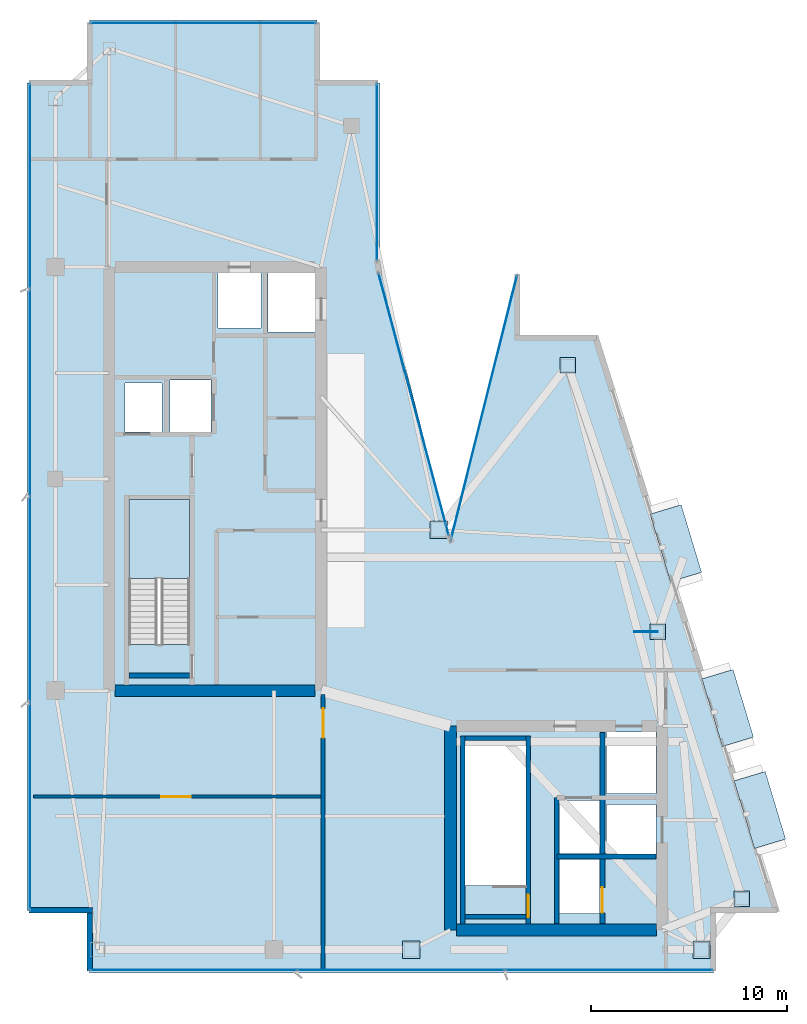
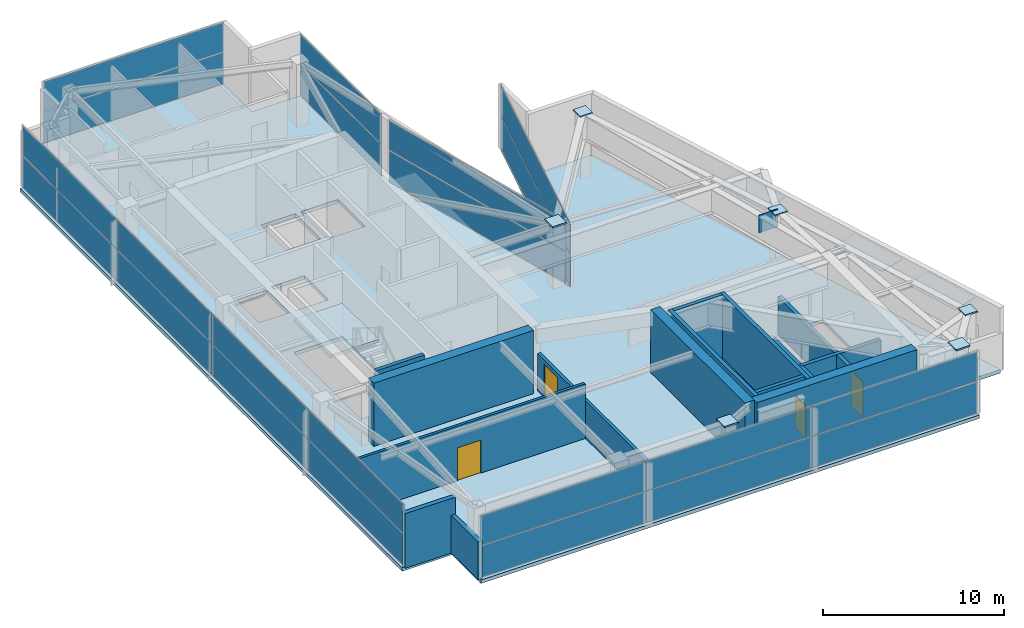
# One storey, part 20 of 25: 32 plates, 15 walls, 4 doors, 2 slabs, 4 openings, 7 elements without a shape of their own.
"""IFC4 building model written with IfcOpenShell, lengths in metres."""

from ifc_helpers import new_model, si_unit, direction, frame, frame_2d, origin, origin_2d, place, context, subcontext, project, spatial, polyline, rectangle, outline, extrude, material, layer, layer_set, type_object, element, fill, aggregate, save


model = new_model("IFC4")

# Units and contexts
model_context = context("Model", 3, precision=1e-05, world=origin(), true_north=direction((0.0, 1.0)))
body_context = subcontext(model_context, "Body", "Model", "MODEL_VIEW")
ifc_project = project(units=[si_unit("LENGTHUNIT", "METRE"), si_unit("AREAUNIT", "SQUARE_METRE"), si_unit("VOLUMEUNIT", "CUBIC_METRE"), si_unit("PLANEANGLEUNIT", "RADIAN"), si_unit("MASSUNIT", "GRAM", prefix="KILO")], contexts=[model_context])

# Site, building, storey
site_placement = place(None, origin())
site = spatial("IfcSite", under=ifc_project, at=site_placement, CompositionType="ELEMENT")
building_placement = place(site_placement, origin())
building = spatial("IfcBuilding", under=site, at=building_placement, Name="Calvorn Quay Hotel", CompositionType="ELEMENT")
storey_placement = place(building_placement, frame((0.0, 0.0, 316.0)))
storey = spatial("IfcBuildingStorey", under=building, at=storey_placement, Name="L78", CompositionType="ELEMENT", Elevation=316.0)

# Curtain wall, plates
ifc_material_1 = material(Name="Champagne Bronze Anodised Aluminium and Low-E Glass", Category="aluminium")
ifc_layer_1 = layer(ifc_material_1, 0.219970703125)
ifc_layer_set_1 = layer_set([ifc_layer_1], Name="CW-SYS-Z4")
curtain_wall_type = type_object("IfcCurtainWallType", Name="CW-SYS-Z4", PredefinedType="NOTDEFINED", material=ifc_layer_set_1)
curtain_wall_1_placement = place(storey_placement, origin())
curtain_wall_1 = element("IfcCurtainWall", 1, at=curtain_wall_1_placement, inside=storey, type_object=curtain_wall_type, Name="Tower West Curtain Wall (L78)", PredefinedType="NOTDEFINED")
ifc_material_2 = material(Name="Low-E Laminated Double Glazing", Category="glass")
ifc_layer_2 = layer(ifc_material_2, 0.028076171875)
ifc_layer_set_2 = layer_set([ifc_layer_2], Name="CW-SYS-Z4-PAN")
plate_type_1 = type_object("IfcPlateType", Name="CW-SYS-Z4-PAN", PredefinedType="CURTAIN_PANEL", material=ifc_layer_set_2)
plate_1_placement = place(storey_placement, frame((0.14990234375, 10.889892578125, 0.06005859375), z_axis=(0.0, 0.0, 1.0), x_axis=(0.0, 1.0, 0.0)))
plate_1 = element("IfcPlate", 2, at=plate_1_placement, type_object=plate_type_1, Name="CW-L78-W panel 1.1", PredefinedType="CURTAIN_PANEL", context=body_context, shape_type="SweptSolid", body=[
    extrude(rectangle(XDim=10.4599609375, YDim=0.028076171875, at=origin_2d()), origin(), (0.0, 0.0, 1.0), 2.110107421875),
])
plate_2_placement = place(storey_placement, frame((0.14990234375, 10.889892578125, 2.22998046875), z_axis=(0.0, 0.0, 1.0), x_axis=(0.0, 1.0, 0.0)))
plate_2 = element("IfcPlate", 3, at=plate_2_placement, type_object=plate_type_1, Name="CW-L78-W panel 1.2", PredefinedType="CURTAIN_PANEL", context=body_context, shape_type="SweptSolid", body=[
    extrude(rectangle(XDim=10.4599609375, YDim=0.028076171875, at=origin_2d()), origin(), (0.0, 0.0, 1.0), 1.969970703125),
])
plate_3_placement = place(storey_placement, frame((0.14990234375, 21.425048828125, 0.06005859375), z_axis=(0.0, 0.0, 1.0), x_axis=(0.0, 1.0, 0.0)))
plate_3 = element("IfcPlate", 4, at=plate_3_placement, type_object=plate_type_1, Name="CW-L78-W panel 2.1", PredefinedType="CURTAIN_PANEL", context=body_context, shape_type="SweptSolid", body=[
    extrude(rectangle(XDim=10.489990234375, YDim=0.028076171875, at=origin_2d()), origin(), (0.0, 0.0, 1.0), 2.110107421875),
])
plate_4_placement = place(storey_placement, frame((0.14990234375, 21.425048828125, 2.22998046875), z_axis=(0.0, 0.0, 1.0), x_axis=(0.0, 1.0, 0.0)))
plate_4 = element("IfcPlate", 5, at=plate_4_placement, type_object=plate_type_1, Name="CW-L78-W panel 2.2", PredefinedType="CURTAIN_PANEL", context=body_context, shape_type="SweptSolid", body=[
    extrude(rectangle(XDim=10.489990234375, YDim=0.028076171875, at=origin_2d()), origin(), (0.0, 0.0, 1.0), 1.969970703125),
])
plate_5_placement = place(storey_placement, frame((0.14990234375, 31.97509765625, 0.06005859375), z_axis=(0.0, 0.0, 1.0), x_axis=(0.0, 1.0, 0.0)))
plate_5 = element("IfcPlate", 6, at=plate_5_placement, type_object=plate_type_1, Name="CW-L78-W panel 3.1", PredefinedType="CURTAIN_PANEL", context=body_context, shape_type="SweptSolid", body=[
    extrude(rectangle(XDim=10.489990234375, YDim=0.028076171875, at=origin_2d()), origin(), (0.0, 0.0, 1.0), 2.110107421875),
])
plate_6_placement = place(storey_placement, frame((0.14990234375, 31.97509765625, 2.22998046875), z_axis=(0.0, 0.0, 1.0), x_axis=(0.0, 1.0, 0.0)))
plate_6 = element("IfcPlate", 7, at=plate_6_placement, type_object=plate_type_1, Name="CW-L78-W panel 3.2", PredefinedType="CURTAIN_PANEL", context=body_context, shape_type="SweptSolid", body=[
    extrude(rectangle(XDim=10.489990234375, YDim=0.028076171875, at=origin_2d()), origin(), (0.0, 0.0, 1.0), 1.969970703125),
])
plate_7_placement = place(storey_placement, frame((0.14990234375, 42.510009765625, 0.06005859375), z_axis=(0.0, 0.0, 1.0), x_axis=(0.0, 1.0, 0.0)))
plate_7 = element("IfcPlate", 8, at=plate_7_placement, type_object=plate_type_1, Name="CW-L78-W panel 4.1", PredefinedType="CURTAIN_PANEL", context=body_context, shape_type="SweptSolid", body=[
    extrude(rectangle(XDim=10.4599609375, YDim=0.028076171875, at=origin_2d()), origin(), (0.0, 0.0, 1.0), 2.110107421875),
])
plate_8_placement = place(storey_placement, frame((0.14990234375, 42.510009765625, 2.22998046875), z_axis=(0.0, 0.0, 1.0), x_axis=(0.0, 1.0, 0.0)))
plate_8 = element("IfcPlate", 9, at=plate_8_placement, type_object=plate_type_1, Name="CW-L78-W panel 4.2", PredefinedType="CURTAIN_PANEL", context=body_context, shape_type="SweptSolid", body=[
    extrude(rectangle(XDim=10.4599609375, YDim=0.028076171875, at=origin_2d()), origin(), (0.0, 0.0, 1.0), 1.969970703125),
])
aggregate(curtain_wall_1, [plate_1, plate_2, plate_3, plate_4, plate_5, plate_6, plate_7, plate_8])

curtain_wall_2_placement = place(storey_placement, origin())
curtain_wall_2 = element("IfcCurtainWall", 10, at=curtain_wall_2_placement, inside=storey, type_object=curtain_wall_type, Name="Tower South Waterfront Curtain Wall (L78)", PredefinedType="NOTDEFINED")
plate_9_placement = place(storey_placement, frame((8.514892578125, 2.550048828125, 0.06005859375), z_axis=(0.0, 0.0, 1.0), x_axis=(1.0, 0.0, 0.0)))
plate_9 = element("IfcPlate", 11, at=plate_9_placement, type_object=plate_type_1, Name="CW-L78-S panel 1.1", PredefinedType="CURTAIN_PANEL", context=body_context, shape_type="SweptSolid", body=[
    extrude(rectangle(XDim=10.510009765625, YDim=0.028076171875, at=origin_2d()), origin(), (0.0, 0.0, 1.0), 2.110107421875),
])
plate_10_placement = place(storey_placement, frame((8.514892578125, 2.550048828125, 2.22998046875), z_axis=(0.0, 0.0, 1.0), x_axis=(1.0, 0.0, 0.0)))
plate_10 = element("IfcPlate", 12, at=plate_10_placement, type_object=plate_type_1, Name="CW-L78-S panel 1.2", PredefinedType="CURTAIN_PANEL", context=body_context, shape_type="SweptSolid", body=[
    extrude(rectangle(XDim=10.510009765625, YDim=0.028076171875, at=origin_2d()), origin(), (0.0, 0.0, 1.0), 1.969970703125),
])
plate_11_placement = place(storey_placement, frame((19.10009765625, 2.550048828125, 0.06005859375), z_axis=(0.0, 0.0, 1.0), x_axis=(1.0, 0.0, 0.0)))
plate_11 = element("IfcPlate", 13, at=plate_11_placement, type_object=plate_type_1, Name="CW-L78-S panel 2.1", PredefinedType="CURTAIN_PANEL", context=body_context, shape_type="SweptSolid", body=[
    extrude(rectangle(XDim=10.5400390625, YDim=0.028076171875, at=origin_2d()), origin(), (0.0, 0.0, 1.0), 2.110107421875),
])
plate_12_placement = place(storey_placement, frame((19.10009765625, 2.550048828125, 2.22998046875), z_axis=(0.0, 0.0, 1.0), x_axis=(1.0, 0.0, 0.0)))
plate_12 = element("IfcPlate", 14, at=plate_12_placement, type_object=plate_type_1, Name="CW-L78-S panel 2.2", PredefinedType="CURTAIN_PANEL", context=body_context, shape_type="SweptSolid", body=[
    extrude(rectangle(XDim=10.5400390625, YDim=0.028076171875, at=origin_2d()), origin(), (0.0, 0.0, 1.0), 1.969970703125),
])
plate_13_placement = place(storey_placement, frame((29.68505859375, 2.550048828125, 0.06005859375), z_axis=(0.0, 0.0, 1.0), x_axis=(1.0, 0.0, 0.0)))
plate_13 = element("IfcPlate", 15, at=plate_13_placement, type_object=plate_type_1, Name="CW-L78-S panel 3.1", PredefinedType="CURTAIN_PANEL", context=body_context, shape_type="SweptSolid", body=[
    extrude(rectangle(XDim=10.510009765625, YDim=0.028076171875, at=origin_2d()), origin(), (0.0, 0.0, 1.0), 2.110107421875),
])
plate_14_placement = place(storey_placement, frame((29.68505859375, 2.550048828125, 2.22998046875), z_axis=(0.0, 0.0, 1.0), x_axis=(1.0, 0.0, 0.0)))
plate_14 = element("IfcPlate", 16, at=plate_14_placement, type_object=plate_type_1, Name="CW-L78-S panel 3.2", PredefinedType="CURTAIN_PANEL", context=body_context, shape_type="SweptSolid", body=[
    extrude(rectangle(XDim=10.510009765625, YDim=0.028076171875, at=origin_2d()), origin(), (0.0, 0.0, 1.0), 1.969970703125),
])
aggregate(curtain_wall_2, [plate_9, plate_10, plate_11, plate_12, plate_13, plate_14])

curtain_wall_3_placement = place(storey_placement, origin())
curtain_wall_3 = element("IfcCurtainWall", 17, at=curtain_wall_3_placement, inside=storey, type_object=curtain_wall_type, Name="Inner Court Curtain Wall L78-NE1", PredefinedType="NOTDEFINED")
plate_15_placement = place(storey_placement, frame((23.300048828125, 31.199951171875, 0.06005859375), z_axis=(0.0, 0.0, 1.0), x_axis=(-0.242535625038, -0.970142500145, 0.0)))
plate_15 = element("IfcPlate", 18, at=plate_15_placement, type_object=plate_type_1, Name="CW-L78-NE1 panel 1.1", PredefinedType="CURTAIN_PANEL", context=body_context, shape_type="SweptSolid", body=[
    extrude(rectangle(XDim=13.8984375, YDim=0.028076171875, at=origin_2d()), origin(), (0.0, 0.0, 1.0), 2.110107421875),
])
plate_16_placement = place(storey_placement, frame((23.300048828125, 31.199951171875, 2.22998046875), z_axis=(0.0, 0.0, 1.0), x_axis=(-0.242535625038, -0.970142500145, 0.0)))
plate_16 = element("IfcPlate", 19, at=plate_16_placement, type_object=plate_type_1, Name="CW-L78-NE1 panel 1.2", PredefinedType="CURTAIN_PANEL", context=body_context, shape_type="SweptSolid", body=[
    extrude(rectangle(XDim=13.8984375, YDim=0.028076171875, at=origin_2d()), origin(), (0.0, 0.0, 1.0), 1.969970703125),
])
aggregate(curtain_wall_3, [plate_15, plate_16])

curtain_wall_4_placement = place(storey_placement, origin())
curtain_wall_4 = element("IfcCurtainWall", 20, at=curtain_wall_4_placement, inside=storey, type_object=curtain_wall_type, Name="Inner Court Curtain Wall L78-IC1", PredefinedType="NOTDEFINED")
plate_17_placement = place(storey_placement, frame((19.72509765625, 31.39990234375, 0.06005859375), z_axis=(0.0, 0.0, 1.0), x_axis=(-0.25877913024, 0.96593652056, 0.0)))
plate_17 = element("IfcPlate", 21, at=plate_17_placement, type_object=plate_type_1, Name="CW-L78-IC1 panel 1.1", PredefinedType="CURTAIN_PANEL", context=body_context, shape_type="SweptSolid", body=[
    extrude(rectangle(XDim=13.814697265625, YDim=0.028076171875, at=origin_2d()), origin(), (0.0, 0.0, 1.0), 2.110107421875),
])
plate_18_placement = place(storey_placement, frame((19.72509765625, 31.39990234375, 2.22998046875), z_axis=(0.0, 0.0, 1.0), x_axis=(-0.25877913024, 0.96593652056, 0.0)))
plate_18 = element("IfcPlate", 22, at=plate_18_placement, type_object=plate_type_1, Name="CW-L78-IC1 panel 1.2", PredefinedType="CURTAIN_PANEL", context=body_context, shape_type="SweptSolid", body=[
    extrude(rectangle(XDim=13.814697265625, YDim=0.028076171875, at=origin_2d()), origin(), (0.0, 0.0, 1.0), 1.969970703125),
])
aggregate(curtain_wall_4, [plate_17, plate_18])

curtain_wall_5_placement = place(storey_placement, origin())
curtain_wall_5 = element("IfcCurtainWall", 23, at=curtain_wall_5_placement, inside=storey, type_object=curtain_wall_type, Name="Inner Court Curtain Wall L78-IC2", PredefinedType="NOTDEFINED")
plate_19_placement = place(storey_placement, frame((17.85009765625, 43.239990234375, 0.06005859375), z_axis=(0.0, 0.0, 1.0), x_axis=(0.0, 1.0, 0.0)))
plate_19 = element("IfcPlate", 24, at=plate_19_placement, type_object=plate_type_1, Name="CW-L78-IC2 panel 1.1", PredefinedType="CURTAIN_PANEL", context=body_context, shape_type="SweptSolid", body=[
    extrude(rectangle(XDim=9.0, YDim=0.028076171875, at=origin_2d()), origin(), (0.0, 0.0, 1.0), 2.110107421875),
])
plate_20_placement = place(storey_placement, frame((17.85009765625, 43.239990234375, 2.22998046875), z_axis=(0.0, 0.0, 1.0), x_axis=(0.0, 1.0, 0.0)))
plate_20 = element("IfcPlate", 25, at=plate_20_placement, type_object=plate_type_1, Name="CW-L78-IC2 panel 1.2", PredefinedType="CURTAIN_PANEL", context=body_context, shape_type="SweptSolid", body=[
    extrude(rectangle(XDim=9.0, YDim=0.028076171875, at=origin_2d()), origin(), (0.0, 0.0, 1.0), 1.969970703125),
])
aggregate(curtain_wall_5, [plate_19, plate_20])

curtain_wall_6_placement = place(storey_placement, origin())
curtain_wall_6 = element("IfcCurtainWall", 26, at=curtain_wall_6_placement, inside=storey, type_object=curtain_wall_type, Name="Inner Court Curtain Wall L78-N1", PredefinedType="NOTDEFINED")
plate_21_placement = place(storey_placement, frame((9.0, 50.85009765625, 0.06005859375), z_axis=(0.0, 0.0, 1.0), x_axis=(-1.0, 0.0, 0.0)))
plate_21 = element("IfcPlate", 27, at=plate_21_placement, type_object=plate_type_1, Name="CW-L78-N1 panel 1.1", PredefinedType="CURTAIN_PANEL", context=body_context, shape_type="SweptSolid", body=[
    extrude(rectangle(XDim=11.47998046875, YDim=0.028076171875, at=origin_2d()), origin(), (0.0, 0.0, 1.0), 2.110107421875),
])
plate_22_placement = place(storey_placement, frame((9.0, 50.85009765625, 2.22998046875), z_axis=(0.0, 0.0, 1.0), x_axis=(-1.0, 0.0, 0.0)))
plate_22 = element("IfcPlate", 28, at=plate_22_placement, type_object=plate_type_1, Name="CW-L78-N1 panel 1.2", PredefinedType="CURTAIN_PANEL", context=body_context, shape_type="SweptSolid", body=[
    extrude(rectangle(XDim=11.47998046875, YDim=0.028076171875, at=origin_2d()), origin(), (0.0, 0.0, 1.0), 1.969970703125),
])
aggregate(curtain_wall_6, [plate_21, plate_22])

# Plates
ifc_material_3 = material(Name="Steel Q420GJC", Category="steel")
ifc_layer_3 = layer(ifc_material_3, 0.050048828125)
ifc_layer_set_3 = layer_set([ifc_layer_3], Name="PLT-GUSSET-50")
plate_type_2 = type_object("IfcPlateType", Name="PLT-GUSSET-50", PredefinedType="SHEET", material=ifc_layer_set_3)
plate_23_placement = place(storey_placement, frame((31.575927734375, 19.800048828125, 3.14013671875), z_axis=(0.0, 0.0, 1.0), x_axis=(1.0, 0.0, 0.0)))
element("IfcPlate", 29, at=plate_23_placement, inside=storey, type_object=plate_type_2, Name="Transfer Gusset Plate PG-L78-E1", PredefinedType="SHEET", context=body_context, shape_type="SweptSolid", body=[
    extrude(rectangle(XDim=1.199951171875, YDim=0.050048828125, at=origin_2d()), origin(), (0.0, 0.0, 1.0), 1.199951171875),
])
ifc_material_4 = material(Name="Tempered Laminated Low-E Glass", Category="glass")
ifc_layer_4 = layer(ifc_material_4, 0.0380859375)
ifc_layer_set_4 = layer_set([ifc_layer_4], Name="PLT-HOOD-GLAZ")
plate_type_3 = type_object("IfcPlateType", Name="PLT-HOOD-GLAZ", PredefinedType="SHEET", material=ifc_layer_set_4)
for number, where, z_axis, x_axis, name in (
    (30, (37.3740234375, 10.718017578125, 2.467041015625), (0.0, 0.0, 1.0), (0.957319497532, 0.289031796944, 0.0), "Angled Glass Bay Hood Panel L78-HOOD-1"),
    (31, (35.735107421875, 15.91796875, 2.467041015625), (0.0, 0.0, 1.0), (0.957319497532, 0.289031796944, 0.0), "Angled Glass Bay Hood Panel L78-HOOD-2"),
    (32, (33.089111328125, 24.318115234375, 2.467041015625), (0.0, 0.0, 1.0), (0.957319497532, 0.289031796944, 0.0), "Angled Glass Bay Hood Panel L78-HOOD-3"),
):
    element("IfcPlate", number, at=place(storey_placement, frame(where, z_axis=z_axis, x_axis=x_axis)), inside=storey, type_object=plate_type_3, Name=name, PredefinedType="SHEET", context=body_context, shape_type="SweptSolid", body=[
        extrude(rectangle(XDim=1.659912109375, YDim=3.60009765625, at=origin_2d()), origin(), (0.0, 0.0, 1.0), 0.0380859375),
    ])
ifc_material_5 = material(Name="Steel Q390GJC", Category="steel")
ifc_layer_5 = layer(ifc_material_5, 0.031982421875)
ifc_layer_set_5 = layer_set([ifc_layer_5], Name="PLT-SPLICE-32")
plate_type_4 = type_object("IfcPlateType", Name="PLT-SPLICE-32", PredefinedType="USERDEFINED", material=ifc_layer_set_5)
for number, where, z_axis, x_axis, name in (
    (33, (21.0, 25.0, 4.199951171875), (0.0, 0.0, 1.0), (1.0, 0.0, 0.0), "Column Top Cap Plate C-IC2 (L78)"),
    (34, (19.60009765625, 3.60009765625, 4.199951171875), (0.0, 0.0, 1.0), (1.0, 0.0, 0.0), "Column Top Cap Plate C-S2 (L78)"),
    (35, (34.39990234375, 3.60009765625, 4.199951171875), (0.0, 0.0, 1.0), (1.0, 0.0, 0.0), "Column Top Cap Plate C-S3 (L78)"),
):
    element("IfcPlate", number, at=place(storey_placement, frame(where, z_axis=z_axis, x_axis=x_axis)), inside=storey, type_object=plate_type_4, Name=name, ObjectType="SPLICE_PLATE", PredefinedType="USERDEFINED", context=body_context, shape_type="SweptSolid", body=[
        extrude(rectangle(XDim=0.889892578125, YDim=0.889892578125, at=origin_2d()), origin(), (0.0, 0.0, 1.0), 0.10009765625),
    ])
for number, where, z_axis, x_axis, name in (
    (36, (36.4609375, 6.199951171875, 4.199951171875), (0.0, 0.0, 1.0), (1.0, 0.0, 0.0), "Column Top Cap Plate C-ET1 (L78)"),
    (37, (32.176025390625, 19.800048828125, 4.199951171875), (0.0, 0.0, 1.0), (1.0, 0.0, 0.0), "Column Top Cap Plate C-ET2 (L78)"),
    (38, (27.591064453125, 33.39990234375, 4.199951171875), (0.0, 0.0, 1.0), (1.0, 0.0, 0.0), "Column Top Cap Plate C-ET3 (L78)"),
):
    element("IfcPlate", number, at=place(storey_placement, frame(where, z_axis=z_axis, x_axis=x_axis)), inside=storey, type_object=plate_type_4, Name=name, ObjectType="SPLICE_PLATE", PredefinedType="USERDEFINED", context=body_context, shape_type="SweptSolid", body=[
        extrude(rectangle(XDim=0.7900390625, YDim=0.7900390625, at=origin_2d()), origin(), (0.0, 0.0, 1.0), 0.10009765625),
    ])

# Stair, slab
ifc_material_6 = material(Name="Concrete C40", Category="concrete")
stair_type = type_object("IfcStairType", Name="STR-CORE-DOGLEG", PredefinedType="HALF_TURN_STAIR", material=ifc_material_6)
stair_placement = place(storey_placement, origin())
stair = element("IfcStair", 39, at=stair_placement, inside=storey, type_object=stair_type, Name="L78 ST-W", PredefinedType="HALF_TURN_STAIR")
ifc_material_7 = material(Name="Concrete C40", Category="concrete")
ifc_layer_6 = layer(ifc_material_7, 0.199951171875)
ifc_layer_set_6 = layer_set([ifc_layer_6], Name="SLB-STAIR-LANDING-200")
slab_type_1 = type_object("IfcSlabType", Name="SLB-STAIR-LANDING-200", PredefinedType="LANDING", material=ifc_layer_set_6)
slab_1_placement = place(storey_placement, frame((0.0, 0.0, 2.050048828125)))
slab_1 = element("IfcSlab", 40, at=slab_1_placement, type_object=slab_type_1, Name="ST-W landing 1", PredefinedType="LANDING", context=body_context, shape_type="SweptSolid", body=[
    extrude(outline(polyline([(8.300048828125, 22.510009765625), (8.300048828125, 26.550048828125), (5.199951171875, 26.550048828125), (5.199951171875, 22.510009765625), (8.300048828125, 22.510009765625)])), origin(), (0.0, 0.0, 1.0), 0.199951171875),
])
aggregate(stair, [slab_1])

# Slab
ifc_material_8 = material(Name="Concrete C40", Category="concrete")
ifc_layer_7 = layer(ifc_material_8, 0.239990234375)
ifc_layer_set_7 = layer_set([ifc_layer_7], Name="SLB-TOWER-240")
slab_type_2 = type_object("IfcSlabType", Name="SLB-TOWER-240", PredefinedType="FLOOR", material=ifc_layer_set_7)
slab_2_placement = place(storey_placement, frame((0.0, 0.0, -0.239990234375)))
element("IfcSlab", 41, at=slab_2_placement, inside=storey, type_object=slab_type_2, Name="L78 Structural Floor Slab", PredefinedType="FLOOR", context=body_context, shape_type="SweptSolid", body=[
    extrude(outline(polyline([(0.0, 5.60009765625), (3.199951171875, 5.60009765625), (3.199951171875, 2.39990234375), (35.0, 2.39990234375), (35.0, 5.60009765625), (38.199951171875, 5.60009765625), (29.0, 34.800048828125), (25.0, 34.800048828125), (25.0, 38.0), (21.60009765625, 24.39990234375), (18.0, 38.39990234375), (18.0, 47.800048828125), (14.800048828125, 47.800048828125), (14.800048828125, 51.0), (3.199951171875, 51.0), (3.199951171875, 47.800048828125), (0.0, 47.800048828125), (0.0, 5.60009765625)]), holes=[polyline([(5.199951171875, 19.156005859375), (8.300048828125, 19.156005859375), (8.300048828125, 26.550048828125), (5.199951171875, 26.550048828125), (5.199951171875, 19.156005859375)]), polyline([(22.35009765625, 6.85595703125), (25.449951171875, 6.85595703125), (25.449951171875, 14.25), (22.35009765625, 14.25), (22.35009765625, 6.85595703125)]), polyline([(5.0, 30.0), (6.89990234375, 30.0), (6.89990234375, 32.5), (5.0, 32.5), (5.0, 30.0)]), polyline([(7.300048828125, 30.0), (9.39990234375, 30.0), (9.39990234375, 32.64990234375), (7.300048828125, 32.64990234375), (7.300048828125, 30.0)]), polyline([(27.159912109375, 8.5), (29.2099609375, 8.5), (29.2099609375, 11.199951171875), (27.159912109375, 11.199951171875), (27.159912109375, 8.5)]), polyline([(27.159912109375, 5.449951171875), (29.2099609375, 5.449951171875), (29.2099609375, 8.199951171875), (27.159912109375, 8.199951171875), (27.159912109375, 5.449951171875)]), polyline([(12.300048828125, 35.10009765625), (14.68994140625, 35.10009765625), (14.68994140625, 38.090087890625), (12.300048828125, 38.090087890625), (12.300048828125, 35.10009765625)]), polyline([(9.75, 35.300048828125), (11.949951171875, 35.300048828125), (11.949951171875, 38.090087890625), (9.75, 38.090087890625), (9.75, 35.300048828125)]), polyline([(29.550048828125, 11.550048828125), (32.090087890625, 11.550048828125), (32.090087890625, 14.68994140625), (29.550048828125, 14.68994140625), (29.550048828125, 11.550048828125)]), polyline([(29.550048828125, 8.449951171875), (32.090087890625, 8.449951171875), (32.090087890625, 11.0), (29.550048828125, 11.0), (29.550048828125, 8.449951171875)])]), origin(), (0.0, 0.0, 1.0), 0.239990234375),
])

# Walls
ifc_material_9 = material(Name="Concrete C45", Category="concrete")
ifc_layer_8 = layer(ifc_material_9, 0.60009765625)
ifc_layer_set_8 = layer_set([ifc_layer_8], Name="WL-CORE-600")
wall_type_1 = type_object("IfcWallType", Name="WL-CORE-600", PredefinedType="SHEAR", material=ifc_layer_set_8)
wall_1_placement = place(storey_placement, frame((4.5, 16.800048828125, 0.0), z_axis=(0.0, 0.0, 1.0), x_axis=(1.0, 0.0, 0.0)))
element("IfcWall", 42, at=wall_1_placement, inside=storey, type_object=wall_type_1, Name="West Core Shear Wall S (L78)", PredefinedType="SHEAR", context=body_context, shape_type="SweptSolid", body=[
    extrude(rectangle(XDim=10.199951171875, YDim=0.60009765625, at=frame_2d((5.10009765625, 0.0))), origin(), (0.0, 0.0, 1.0), 4.260009765625),
])
wall_2_placement = place(storey_placement, frame((21.60009765625, 4.60009765625, 0.0), z_axis=(0.0, 0.0, 1.0), x_axis=(0.0, 1.0, 0.0)))
element("IfcWall", 43, at=wall_2_placement, inside=storey, type_object=wall_type_1, Name="East Core Shear Wall W (L78)", PredefinedType="SHEAR", context=body_context, shape_type="SweptSolid", body=[
    extrude(rectangle(XDim=10.39990234375, YDim=0.60009765625, at=frame_2d((5.199951171875, 0.0))), origin(), (0.0, 0.0, 1.0), 4.260009765625),
])
wall_3_placement = place(storey_placement, frame((21.89990234375, 4.60009765625, 0.0), z_axis=(0.0, 0.0, 1.0), x_axis=(1.0, 0.0, 0.0)))
element("IfcWall", 44, at=wall_3_placement, inside=storey, type_object=wall_type_1, Name="East Core Shear Wall S (L78)", PredefinedType="SHEAR", context=body_context, shape_type="SweptSolid", body=[
    extrude(rectangle(XDim=10.2001953125, YDim=0.60009765625, at=frame_2d((5.10009765625, 0.0))), origin(), (0.0, 0.0, 1.0), 4.260009765625),
])

# Wall, opening, door
ifc_material_10 = material(Name="Acoustic Fireboard Steel-Stud Partition", Category="steel")
ifc_layer_9 = layer(ifc_material_10, 0.179931640625)
ifc_layer_set_9 = layer_set([ifc_layer_9], Name="WL-CORR-FIRE-180")
wall_type_2 = type_object("IfcWallType", Name="WL-CORR-FIRE-180", PredefinedType="PARTITIONING", material=ifc_layer_set_9)
wall_4_placement = place(storey_placement, frame((15.10009765625, 2.60009765625, 0.0), z_axis=(0.0, 0.0, 1.0), x_axis=(0.0, 1.0, 0.0)))
wall_4 = element("IfcWall", 45, at=wall_4_placement, inside=storey, type_object=wall_type_2, Name="Partition Wall L78-WL-SK-SW-E", PredefinedType="PARTITIONING", context=body_context, shape_type="SweptSolid", body=[
    extrude(rectangle(XDim=14.0, YDim=0.179931640625, at=frame_2d((7.0, 0.0))), origin(), (0.0, 0.0, 1.0), 2.5400390625),
])
opening_1_placement = place(wall_4_placement, frame((11.800048828125, 0.0, 0.0)))
opening_1 = element("IfcOpeningElement", 46, at=opening_1_placement, cuts=wall_4, Name="Opening D-L78-A1", PredefinedType="OPENING", context=body_context, shape_type="SweptSolid", body=[
    extrude(rectangle(XDim=1.5, YDim=2.219970703125, at=frame_2d((0.75, 1.10986328125))), frame((0.0, 0.099853515625, 0.0), z_axis=(0.0, -1.0, 0.0), x_axis=(1.0, 0.0, 0.0)), (0.0, 0.0, 1.0), 0.199951171875),
])
ifc_material_11 = material(Name="Solid-Core Walnut Double Suite Entry Door")
door_type_1 = type_object("IfcDoorType", Name="DR-SUITE-DBL-1500", OperationType="NOTDEFINED", PredefinedType="DOOR", material=ifc_material_11)
door_1_placement = place(opening_1_placement, origin())
door_1 = element("IfcDoor", 47, at=door_1_placement, inside=storey, type_object=door_type_1, Name="West Salon Door", OperationType="SINGLE_SWING_LEFT", OverallHeight=2.219970703125, OverallWidth=1.5, PredefinedType="DOOR", context=body_context, shape_type="SweptSolid", body=[
    extrude(rectangle(XDim=1.5, YDim=2.219970703125, at=frame_2d((0.75, 1.10986328125))), frame((0.0, 0.02490234375, 0.0), z_axis=(0.0, -1.0, 0.0), x_axis=(1.0, 0.0, 0.0)), (0.0, 0.0, 1.0), 0.050048828125),
])
fill(opening_1, door_1)

# Walls
ifc_material_12 = material(Name="Concrete C40", Category="concrete")
ifc_layer_10 = layer(ifc_material_12, 0.320068359375)
ifc_layer_set_10 = layer_set([ifc_layer_10], Name="WL-EXT-SPANDREL-320")
wall_type_3 = type_object("IfcWallType", Name="WL-EXT-SPANDREL-320", PredefinedType="SOLIDWALL", material=ifc_layer_set_10)
wall_5_placement = place(storey_placement, frame((0.1201171875, 5.60009765625, 0.0), z_axis=(0.0, 0.0, 1.0), x_axis=(1.0, 0.0, 0.0)))
element("IfcWall", 48, at=wall_5_placement, inside=storey, type_object=wall_type_3, Name="Notched Corner Spandrel L78-SW1", PredefinedType="SOLIDWALL", context=body_context, shape_type="SweptSolid", body=[
    extrude(rectangle(XDim=3.219970703125, YDim=0.280029296875, at=frame_2d((1.60986328125, 0.0))), origin(), (0.0, 0.0, 1.0), 3.68994140625),
])
wall_6_placement = place(storey_placement, frame((3.199951171875, 5.4599609375, 0.0), z_axis=(0.0, 0.0, 1.0), x_axis=(0.0, -1.0, 0.0)))
element("IfcWall", 49, at=wall_6_placement, inside=storey, type_object=wall_type_3, Name="Notched Corner Spandrel L78-SW2", PredefinedType="SOLIDWALL", context=body_context, shape_type="SweptSolid", body=[
    extrude(rectangle(XDim=2.93994140625, YDim=0.280029296875, at=frame_2d((1.469970703125, 0.0))), origin(), (0.0, 0.0, 1.0), 2.5400390625),
])

# Wall, opening, door
ifc_material_13 = material(Name="Double-Stud Acoustic Gypsum Partition")
ifc_layer_11 = layer(ifc_material_13, 0.159912109375)
ifc_layer_set_11 = layer_set([ifc_layer_11], Name="WL-INTERSUITE-160")
wall_type_4 = type_object("IfcWallType", Name="WL-INTERSUITE-160", PredefinedType="PARTITIONING", material=ifc_layer_set_11)
wall_7_placement = place(storey_placement, frame((0.35009765625, 11.39990234375, 0.0), z_axis=(0.0, 0.0, 1.0), x_axis=(1.0, 0.0, 0.0)))
wall_7 = element("IfcWall", 50, at=wall_7_placement, inside=storey, type_object=wall_type_4, Name="Partition Wall L78-WL-OB-S-DIV", PredefinedType="PARTITIONING", context=body_context, shape_type="SweptSolid", body=[
    extrude(rectangle(XDim=14.64990234375, YDim=0.159912109375, at=frame_2d((7.324951171875, 0.0))), origin(), (0.0, 0.0, 1.0), 3.68994140625),
])
opening_2_placement = place(wall_7_placement, frame((6.5, 0.0, 0.0)))
opening_2 = element("IfcOpeningElement", 51, at=opening_2_placement, cuts=wall_7, Name="Opening D-L78-OBS", PredefinedType="OPENING", context=body_context, shape_type="SweptSolid", body=[
    extrude(rectangle(XDim=1.5, YDim=2.219970703125, at=frame_2d((0.75, 1.10986328125))), frame((0.0, 0.08984375, 0.0), z_axis=(0.0, -1.0, 0.0), x_axis=(1.0, 0.0, 0.0)), (0.0, 0.0, 1.0), 0.179931640625),
])
door_2_placement = place(opening_2_placement, origin())
door_2 = element("IfcDoor", 52, at=door_2_placement, inside=storey, type_object=door_type_1, Name="South Deck Door", OperationType="SINGLE_SWING_LEFT", OverallHeight=2.219970703125, OverallWidth=1.5, PredefinedType="DOOR", context=body_context, shape_type="SweptSolid", body=[
    extrude(rectangle(XDim=1.5, YDim=2.219970703125, at=frame_2d((0.75, 1.10986328125))), frame((0.0, 0.02490234375, 0.0), z_axis=(0.0, -1.0, 0.0), x_axis=(1.0, 0.0, 0.0)), (0.0, 0.0, 1.0), 0.050048828125),
])
fill(opening_2, door_2)

# Walls
ifc_material_14 = material(Name="Concrete C40", Category="concrete")
ifc_layer_12 = layer(ifc_material_14, 0.239990234375)
ifc_layer_set_12 = layer_set([ifc_layer_12], Name="WL-SHAFT-240")
wall_type_5 = type_object("IfcWallType", Name="WL-SHAFT-240", PredefinedType="SOLIDWALL", material=ifc_layer_set_12)
wall_8_placement = place(storey_placement, frame((5.199951171875, 17.580078125, 0.0), z_axis=(0.0, 0.0, 1.0), x_axis=(1.0, 0.0, 0.0)))
element("IfcWall", 53, at=wall_8_placement, inside=storey, type_object=wall_type_5, Name="Stair STW Shaft Wall S (L78)", PredefinedType="SOLIDWALL", context=body_context, shape_type="SweptSolid", body=[
    extrude(rectangle(XDim=3.10009765625, YDim=0.239990234375, at=frame_2d((1.550048828125, 0.0))), origin(), (0.0, 0.0, 1.0), 4.260009765625),
])
wall_9_placement = place(storey_placement, frame((22.22998046875, 4.89990234375, 0.0), z_axis=(0.0, 0.0, 1.0), x_axis=(0.0, 1.0, 0.0)))
element("IfcWall", 54, at=wall_9_placement, inside=storey, type_object=wall_type_5, Name="Stair STE Shaft Wall W (L78)", PredefinedType="SOLIDWALL", context=body_context, shape_type="SweptSolid", body=[
    extrude(rectangle(XDim=9.590087890625, YDim=0.239990234375, at=frame_2d((4.794921875, 0.0))), origin(), (0.0, 0.0, 1.0), 4.260009765625),
])

# Wall, opening, door
wall_10_placement = place(storey_placement, frame((25.570068359375, 4.89990234375, 0.0), z_axis=(0.0, 0.0, 1.0), x_axis=(0.0, 1.0, 0.0)))
wall_10 = element("IfcWall", 55, at=wall_10_placement, inside=storey, type_object=wall_type_5, Name="Stair STE Shaft Wall E (L78)", PredefinedType="SOLIDWALL", context=body_context, shape_type="SweptSolid", body=[
    extrude(rectangle(XDim=9.590087890625, YDim=0.239990234375, at=frame_2d((4.794921875, 0.0))), origin(), (0.0, 0.0, 1.0), 4.260009765625),
])
opening_3_placement = place(wall_10_placement, frame((0.35009765625, 0.0, 0.0)))
opening_3 = element("IfcOpeningElement", 56, at=opening_3_placement, cuts=wall_10, Name="Opening D-L78-STE", PredefinedType="OPENING", context=body_context, shape_type="SweptSolid", body=[
    extrude(rectangle(XDim=1.14990234375, YDim=2.199951171875, at=frame_2d((0.574951171875, 1.10009765625))), frame((0.0, 0.1298828125, 0.0), z_axis=(0.0, -1.0, 0.0), x_axis=(1.0, 0.0, 0.0)), (0.0, 0.0, 1.0), 0.260009765625),
])
ifc_material_15 = material(Name="Galvanised Steel Class A Fire Door", Category="steel")
door_type_2 = type_object("IfcDoorType", Name="DR-STAIR-SMOKE-1150", OperationType="NOTDEFINED", PredefinedType="DOOR", material=ifc_material_15)
door_3_placement = place(opening_3_placement, origin())
door_3 = element("IfcDoor", 57, at=door_3_placement, inside=storey, type_object=door_type_2, Name="Stair ST-E Fire Door (L78)", OperationType="SINGLE_SWING_RIGHT", OverallHeight=2.199951171875, OverallWidth=1.14990234375, PredefinedType="DOOR", context=body_context, shape_type="SweptSolid", body=[
    extrude(rectangle(XDim=1.14990234375, YDim=2.199951171875, at=frame_2d((0.574951171875, 1.10009765625))), frame((0.0, 0.02490234375, 0.0), z_axis=(0.0, -1.0, 0.0), x_axis=(1.0, 0.0, 0.0)), (0.0, 0.0, 1.0), 0.050048828125),
])
fill(opening_3, door_3)

# Walls
for number, where, z_axis, x_axis, name in (
    (58, (22.35009765625, 5.280029296875, 0.0), (0.0, 0.0, 1.0), (1.0, 0.0, 0.0), "Stair STE Shaft Wall S (L78)"),
    (59, (22.35009765625, 14.3701171875, 0.0), (0.0, 0.0, 1.0), (1.0, 0.0, 0.0), "Stair STE Shaft Wall N (L78)"),
):
    element("IfcWall", number, at=place(storey_placement, frame(where, z_axis=z_axis, x_axis=x_axis)), inside=storey, type_object=wall_type_5, Name=name, PredefinedType="SOLIDWALL", context=body_context, shape_type="SweptSolid", body=[
        extrude(rectangle(XDim=3.099853515625, YDim=0.239990234375, at=frame_2d((1.5498046875, 0.0))), origin(), (0.0, 0.0, 1.0), 4.260009765625),
    ])
wall_11_placement = place(storey_placement, frame((27.02001953125, 4.919921875, 0.0), z_axis=(0.0, 0.0, 1.0), x_axis=(0.0, 1.0, 0.0)))
element("IfcWall", 60, at=wall_11_placement, inside=storey, type_object=wall_type_5, Name="Partition Wall L78-WL-CWE-SH-W", PredefinedType="SOLIDWALL", context=body_context, shape_type="SweptSolid", body=[
    extrude(rectangle(XDim=6.43017578125, YDim=0.239990234375, at=frame_2d((3.215087890625, 0.0))), origin(), (0.0, 0.0, 1.0), 2.5400390625),
])
wall_12_placement = place(storey_placement, frame((27.02001953125, 8.35009765625, 0.0), z_axis=(0.0, 0.0, 1.0), x_axis=(1.0, 0.0, 0.0)))
element("IfcWall", 61, at=wall_12_placement, inside=storey, type_object=wall_type_5, Name="Partition Wall L78-WL-CWE-SL-N", PredefinedType="SOLIDWALL", context=body_context, shape_type="SweptSolid", body=[
    extrude(rectangle(XDim=5.06005859375, YDim=0.239990234375, at=frame_2d((2.530029296875, 0.0))), origin(), (0.0, 0.0, 1.0), 2.5400390625),
])

# Wall, opening, door
wall_13_placement = place(storey_placement, frame((29.35009765625, 4.919921875, 0.0), z_axis=(0.0, 0.0, 1.0), x_axis=(0.0, 1.0, 0.0)))
wall_13 = element("IfcWall", 62, at=wall_13_placement, inside=storey, type_object=wall_type_5, Name="Partition Wall L78-WL-CWE-OB-W", PredefinedType="SOLIDWALL", context=body_context, shape_type="SweptSolid", body=[
    extrude(rectangle(XDim=9.760009765625, YDim=0.239990234375, at=frame_2d((4.8798828125, 0.0))), origin(), (0.0, 0.0, 1.0), 2.5400390625),
])
opening_4_placement = place(wall_13_placement, frame((0.550048828125, 0.0, 0.0)))
opening_4 = element("IfcOpeningElement", 63, at=opening_4_placement, cuts=wall_13, Name="Opening LD-L78-SLEI", PredefinedType="OPENING", context=body_context, shape_type="SweptSolid", body=[
    extrude(rectangle(XDim=1.300048828125, YDim=2.35009765625, at=frame_2d((0.64990234375, 1.175048828125))), frame((0.0, 0.1298828125, 0.0), z_axis=(0.0, -1.0, 0.0), x_axis=(1.0, 0.0, 0.0)), (0.0, 0.0, 1.0), 0.260009765625),
])
ifc_material_16 = material(Name="Champagne-Bronze Sliding Express Lift Landing Door")
door_type_3 = type_object("IfcDoorType", Name="DR-LIFT-SHUTTLE-1300", OperationType="NOTDEFINED", PredefinedType="DOOR", material=ifc_material_16)
door_4_placement = place(opening_4_placement, origin())
door_4 = element("IfcDoor", 64, at=door_4_placement, inside=storey, type_object=door_type_3, Name="Service Lift SL-E1 Landing Door (L78)", OperationType="DOUBLE_DOOR_SLIDING", OverallHeight=2.35009765625, OverallWidth=1.300048828125, PredefinedType="DOOR", context=body_context, shape_type="SweptSolid", body=[
    extrude(rectangle(XDim=1.300048828125, YDim=2.35009765625, at=frame_2d((0.64990234375, 1.175048828125))), frame((0.0, 0.02490234375, 0.0), z_axis=(0.0, -1.0, 0.0), x_axis=(1.0, 0.0, 0.0)), (0.0, 0.0, 1.0), 0.050048828125),
])
fill(opening_4, door_4)

save(model, "model.ifc")
